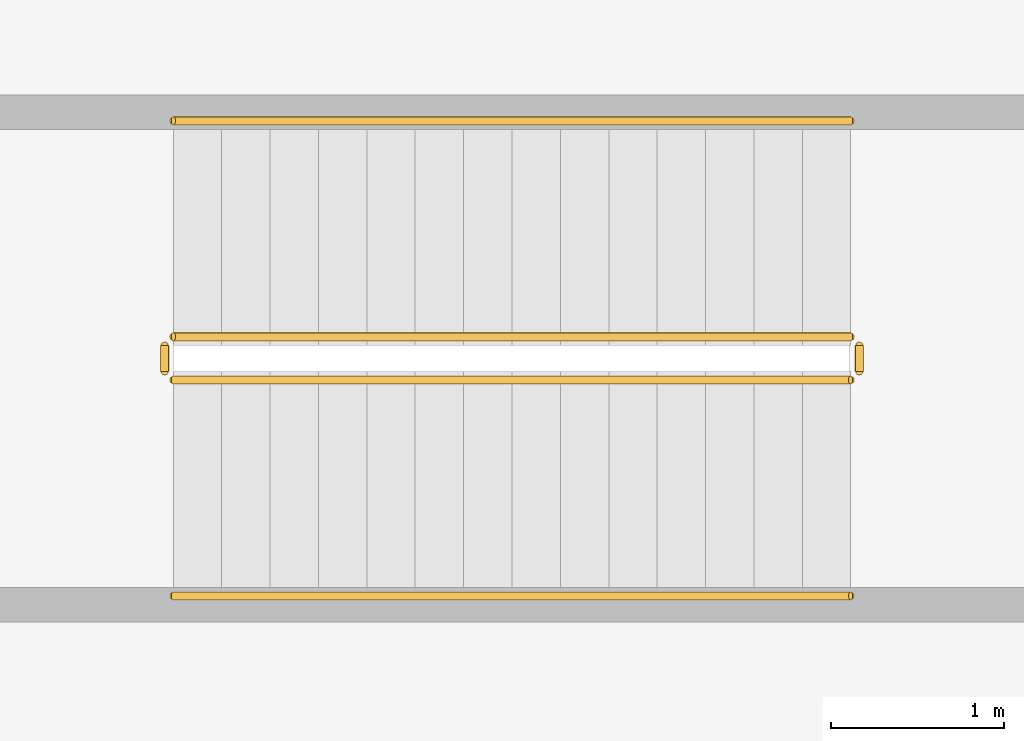
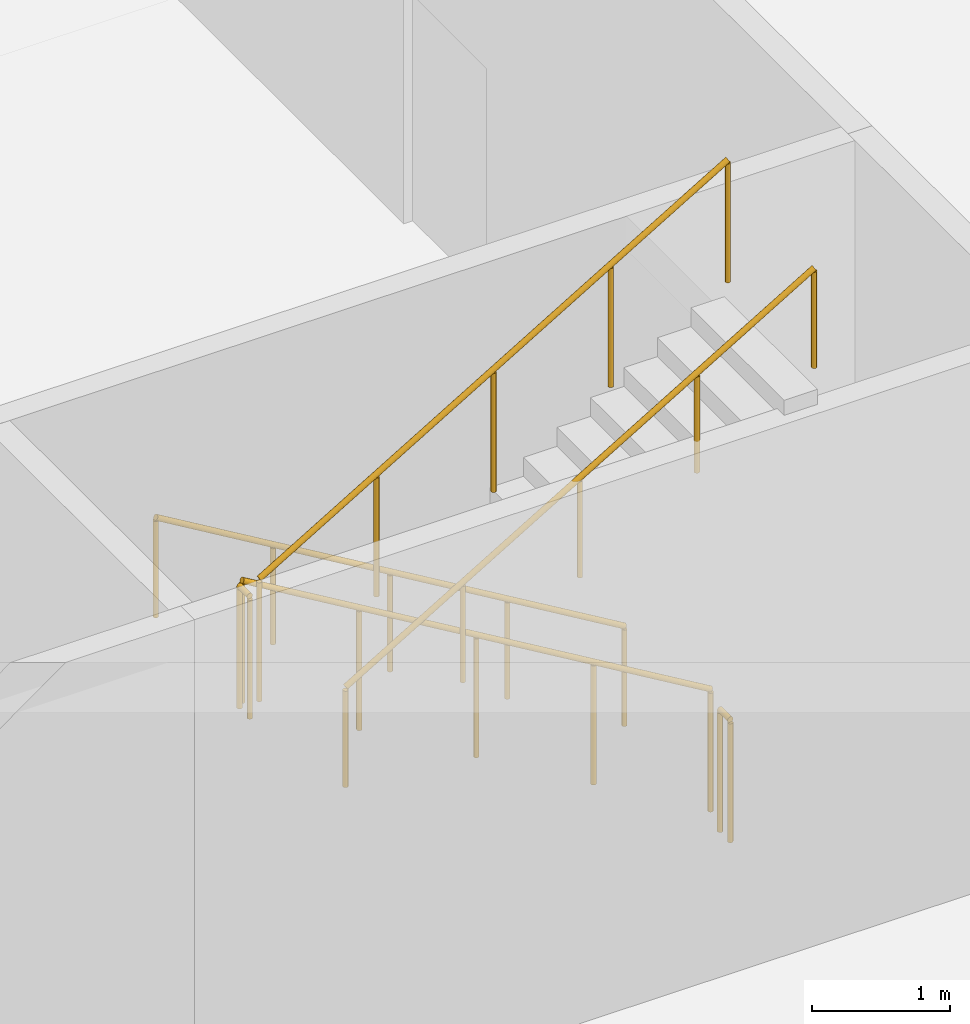
# One storey, part 6 of 10: 6 railings.
"""IFC4 building model written with IfcOpenShell, lengths in metres."""

from ifc_helpers import new_model, si_unit, direction, frame, origin, origin_2d, place, context, subcontext, project, spatial, circle, extrude, source, transform, mapped, material, type_object, element, save


model = new_model("IFC4")

# Units and contexts
model_context = context("Model", 3, precision=1e-05, world=origin(), true_north=direction((0.0, 1.0)))
body_context = subcontext(model_context, "Body", "Model", "MODEL_VIEW")
ifc_project = project(units=[si_unit("LENGTHUNIT", "METRE"), si_unit("AREAUNIT", "SQUARE_METRE"), si_unit("VOLUMEUNIT", "CUBIC_METRE"), si_unit("PLANEANGLEUNIT", "RADIAN"), si_unit("MASSUNIT", "GRAM", prefix="KILO")], contexts=[model_context])

# Site, building, storey
site_placement = place(None, origin())
site = spatial("IfcSite", under=ifc_project, at=site_placement, CompositionType="ELEMENT")
building_placement = place(site_placement, origin())
building = spatial("IfcBuilding", under=site, at=building_placement, Name="Embergate Tower", CompositionType="ELEMENT")
storey_placement = place(building_placement, frame((0.0, 0.0, -5.0)))
storey = spatial("IfcBuildingStorey", under=building, at=storey_placement, Name="B1", CompositionType="ELEMENT", Elevation=-5.0)

# Railings
ifc_material = material(Name="Steel", Category="steel")
railing_type_1 = type_object("IfcRailingType", Name="Exit stair guard 1100", PredefinedType="GUARDRAIL", material=ifc_material)
shared_shape_1 = source(origin(), body_context, "Body", "SweptSolid", [
    extrude(circle(Radius=0.02392578125, at=origin_2d()), frame((0.0, 0.0, 1.076171875), z_axis=(0.0, -1.0, 0.0), x_axis=(1.0, 0.0, 0.0)), (0.0, 0.0, 1.0), 0.14990234375),
    extrude(circle(Radius=0.02099609375, at=origin_2d()), origin(), (0.0, 0.0, 1.0), 1.052001953125),
    extrude(circle(Radius=0.02099609375, at=origin_2d()), frame((0.0, -0.14990234375, 0.0)), (0.0, 0.0, 1.0), 1.052001953125),
])
for number, where, name in (
    (1, (-31.77001953125, 0.074951171875, 2.5), "B1 XW1 stair guard 2"),
    (2, (-27.75, 0.074951171875, 0.0), "B1 XW1 stair guard 4"),
):
    element("IfcRailing", number, at=place(storey_placement, frame(where)), inside=storey, type_object=railing_type_1, Name=name, PredefinedType="GUARDRAIL", context=body_context, shape_type="MappedRepresentation", body=[
        mapped(shared_shape_1, transform((0.0, 0.0, 0.0))),
    ])
shared_shape_2 = source(origin(), body_context, "Body", "SweptSolid", [
    extrude(circle(Radius=0.02392578125, at=origin_2d()), frame((0.0, 0.0, 1.076171875), z_axis=(0.859296244711, 0.0, 0.511478214419), x_axis=(0.0, 1.0, 0.0)), (0.0, 0.0, 1.0), 4.561767578125),
    extrude(circle(Radius=0.02099609375, at=origin_2d()), origin(), (0.0, 0.0, 1.0), 1.052001953125),
    extrude(circle(Radius=0.02099609375, at=origin_2d()), frame((0.97998046875, 0.0, 0.583251953125)), (0.0, 0.0, 1.0), 1.052001953125),
    extrude(circle(Radius=0.02099609375, at=origin_2d()), frame((1.9599609375, 0.0, 1.16650390625)), (0.0, 0.0, 1.0), 1.052001953125),
    extrude(circle(Radius=0.02099609375, at=origin_2d()), frame((2.93994140625, 0.0, 1.75)), (0.0, 0.0, 1.0), 1.052001953125),
    extrude(circle(Radius=0.02099609375, at=origin_2d()), frame((3.919921875, 0.0, 2.333251953125)), (0.0, 0.0, 1.0), 1.052001953125),
])
railing_1_placement = place(storey_placement, frame((-31.719970703125, -0.125, 2.666748046875)))
element("IfcRailing", 3, at=railing_1_placement, inside=storey, type_object=railing_type_1, Name="B1 XW1 stair guard 3", PredefinedType="GUARDRAIL", context=body_context, shape_type="MappedRepresentation", body=[
    mapped(shared_shape_2, transform((0.0, 0.0, 0.0))),
])
shared_shape_3 = source(origin(), body_context, "Body", "SweptSolid", [
    extrude(circle(Radius=0.02392578125, at=origin_2d()), frame((0.0, 0.0, 1.076171875), z_axis=(-0.859296244711, 0.0, 0.511478214419), x_axis=(0.0, -1.0, 0.0)), (0.0, 0.0, 1.0), 4.561767578125),
    extrude(circle(Radius=0.02099609375, at=origin_2d()), origin(), (0.0, 0.0, 1.0), 1.052001953125),
    extrude(circle(Radius=0.02099609375, at=origin_2d()), frame((-0.97998046875, 0.0, 0.583251953125)), (0.0, 0.0, 1.0), 1.052001953125),
    extrude(circle(Radius=0.02099609375, at=origin_2d()), frame((-1.9599609375, 0.0, 1.16650390625)), (0.0, 0.0, 1.0), 1.052001953125),
    extrude(circle(Radius=0.02099609375, at=origin_2d()), frame((-2.93994140625, 0.0, 1.75)), (0.0, 0.0, 1.0), 1.052001953125),
    extrude(circle(Radius=0.02099609375, at=origin_2d()), frame((-3.919921875, 0.0, 2.333251953125)), (0.0, 0.0, 1.0), 1.052001953125),
])
railing_2_placement = place(storey_placement, frame((-27.800048828125, 0.125, 0.166748046875)))
element("IfcRailing", 4, at=railing_2_placement, inside=storey, type_object=railing_type_1, Name="B1 XW1 stair guard 1", PredefinedType="GUARDRAIL", context=body_context, shape_type="MappedRepresentation", body=[
    mapped(shared_shape_3, transform((0.0, 0.0, 0.0))),
])
railing_type_2 = type_object("IfcRailingType", Name="Exit stair handrail 900", PredefinedType="HANDRAIL", material=ifc_material)
shared_shape_4 = source(origin(), body_context, "Body", "SweptSolid", [
    extrude(circle(Radius=0.02392578125, at=origin_2d()), frame((0.0, 0.0, 0.8759765625), z_axis=(0.859296244711, 0.0, 0.511478214419), x_axis=(0.0, 1.0, 0.0)), (0.0, 0.0, 1.0), 4.561767578125),
    extrude(circle(Radius=0.02099609375, at=origin_2d()), origin(), (0.0, 0.0, 1.0), 0.851806640625),
    extrude(circle(Radius=0.02099609375, at=origin_2d()), frame((0.97998046875, 0.0, 0.583251953125)), (0.0, 0.0, 1.0), 0.851806640625),
    extrude(circle(Radius=0.02099609375, at=origin_2d()), frame((1.9599609375, 0.0, 1.16650390625)), (0.0, 0.0, 1.0), 0.851806640625),
    extrude(circle(Radius=0.02099609375, at=origin_2d()), frame((2.93994140625, 0.0, 1.75)), (0.0, 0.0, 1.0), 0.851806640625),
    extrude(circle(Radius=0.02099609375, at=origin_2d()), frame((3.919921875, 0.0, 2.333251953125)), (0.0, 0.0, 1.0), 0.851806640625),
])
railing_3_placement = place(storey_placement, frame((-31.719970703125, -1.375, 2.666748046875)))
element("IfcRailing", 5, at=railing_3_placement, inside=storey, type_object=railing_type_2, Name="B1 XW1 stair handrail 2", PredefinedType="HANDRAIL", context=body_context, shape_type="MappedRepresentation", body=[
    mapped(shared_shape_4, transform((0.0, 0.0, 0.0))),
])
shared_shape_5 = source(origin(), body_context, "Body", "SweptSolid", [
    extrude(circle(Radius=0.02392578125, at=origin_2d()), frame((0.0, 0.0, 0.8759765625), z_axis=(-0.859296244711, 0.0, 0.511478214419), x_axis=(0.0, -1.0, 0.0)), (0.0, 0.0, 1.0), 4.561767578125),
    extrude(circle(Radius=0.02099609375, at=origin_2d()), origin(), (0.0, 0.0, 1.0), 0.851806640625),
    extrude(circle(Radius=0.02099609375, at=origin_2d()), frame((-0.97998046875, 0.0, 0.583251953125)), (0.0, 0.0, 1.0), 0.851806640625),
    extrude(circle(Radius=0.02099609375, at=origin_2d()), frame((-1.9599609375, 0.0, 1.16650390625)), (0.0, 0.0, 1.0), 0.851806640625),
    extrude(circle(Radius=0.02099609375, at=origin_2d()), frame((-2.93994140625, 0.0, 1.75)), (0.0, 0.0, 1.0), 0.851806640625),
    extrude(circle(Radius=0.02099609375, at=origin_2d()), frame((-3.919921875, 0.0, 2.333251953125)), (0.0, 0.0, 1.0), 0.851806640625),
])
railing_4_placement = place(storey_placement, frame((-27.800048828125, 1.375, 0.166748046875)))
element("IfcRailing", 6, at=railing_4_placement, inside=storey, type_object=railing_type_2, Name="B1 XW1 stair handrail 1", PredefinedType="HANDRAIL", context=body_context, shape_type="MappedRepresentation", body=[
    mapped(shared_shape_5, transform((0.0, 0.0, 0.0))),
])

save(model, "model.ifc")
